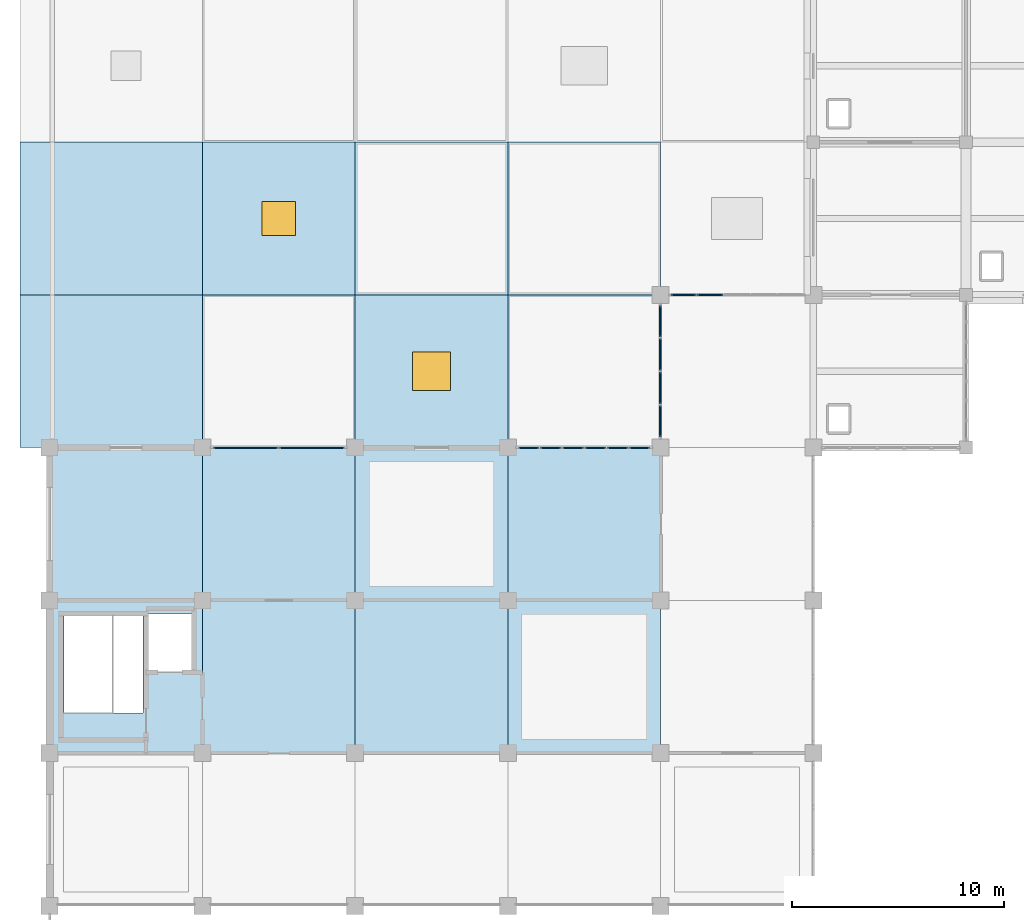
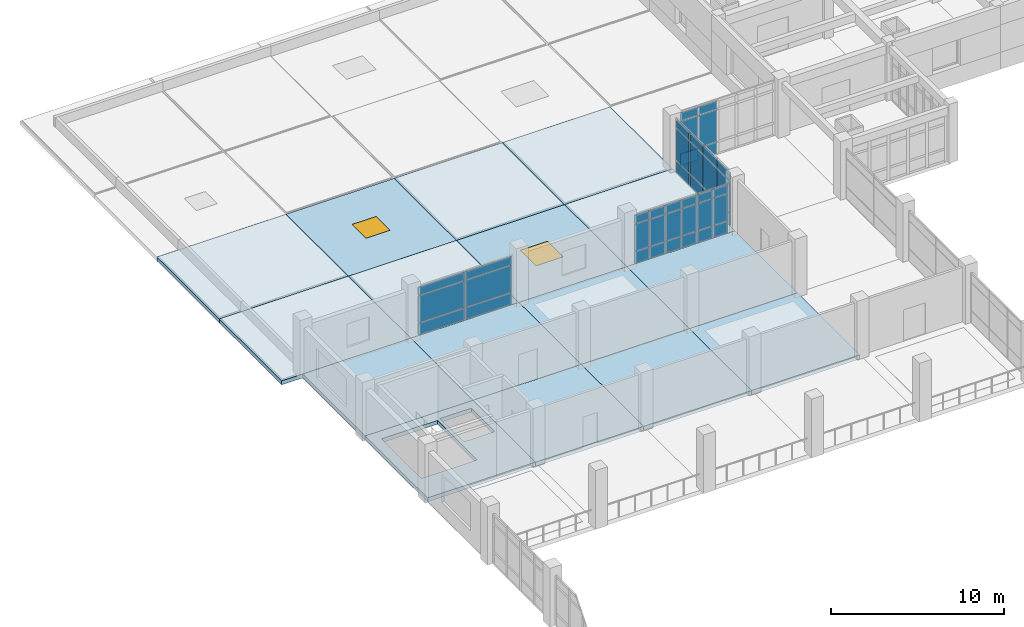
# One storey, part 36 of 62: 42 plates, 16 slabs, 2 windows, 2 openings, 4 elements without a shape of their own.
"""IFC4 building model written with IfcOpenShell, lengths in metres."""

from ifc_helpers import new_model, si_unit, direction, frame, origin, origin_2d, place, context, subcontext, project, spatial, polyline, rectangle, outline, extrude, material, layer, layer_set, type_object, element, fill, aggregate, save


model = new_model("IFC4")

# Units and contexts
model_context = context("Model", 3, precision=1e-05, world=origin(), true_north=direction((0.0, 1.0)))
body_context = subcontext(model_context, "Body", "Model", "MODEL_VIEW")
ifc_project = project(units=[si_unit("LENGTHUNIT", "METRE"), si_unit("AREAUNIT", "SQUARE_METRE"), si_unit("VOLUMEUNIT", "CUBIC_METRE"), si_unit("PLANEANGLEUNIT", "RADIAN"), si_unit("MASSUNIT", "GRAM", prefix="KILO")], contexts=[model_context])

# Site, building, storey
site_placement = place(None, origin())
site = spatial("IfcSite", under=ifc_project, at=site_placement, CompositionType="ELEMENT")
building_placement = place(site_placement, origin())
building = spatial("IfcBuilding", under=site, at=building_placement, Name="Kavelor Marine Aquarium", CompositionType="ELEMENT")
storey_placement = place(building_placement, frame((0.0, 0.0, 13.5)))
storey = spatial("IfcBuildingStorey", under=building, at=storey_placement, Name="L03", CompositionType="ELEMENT", Elevation=13.5)

# Curtain wall, plates
ifc_material_1 = material(Name="Thermally Broken Aluminium and Low-E Glass", Category="aluminium")
ifc_layer_1 = layer(ifc_material_1, 0.33203125)
ifc_layer_set_1 = layer_set([ifc_layer_1], Name="CW-SYS24")
curtain_wall_type_1 = type_object("IfcCurtainWallType", Name="CW-SYS24", PredefinedType="USERDEFINED", material=ifc_layer_set_1)
curtain_wall_1_placement = place(storey_placement, origin())
curtain_wall_1 = element("IfcCurtainWall", 1, at=curtain_wall_1_placement, inside=storey, type_object=curtain_wall_type_1, Name="cw:x:L03:01_11", ObjectType="Curtain Wall", PredefinedType="USERDEFINED")
ifc_material_2 = material(Name="Solar-Control Double Low-E Glazing", Category="glass")
ifc_layer_2 = layer(ifc_material_2, 0.048095703125)
ifc_layer_set_2 = layer_set([ifc_layer_2], Name="CWP-12")
plate_type_1 = type_object("IfcPlateType", Name="CWP-12", PredefinedType="CURTAIN_PANEL", material=ifc_layer_set_2)
plate_1_placement = place(storey_placement, frame((12.4375, 82.0, 0.074951171875), z_axis=(0.0, 0.0, 1.0), x_axis=(1.0, 0.0, 0.0)))
plate_1 = element("IfcPlate", 2, at=plate_1_placement, type_object=plate_type_1, Name="CW24 panel 1.1", PredefinedType="CURTAIN_PANEL", context=body_context, shape_type="SweptSolid", body=[
    extrude(rectangle(XDim=3.06494140625, YDim=0.048095703125, at=origin_2d()), origin(), (0.0, 0.0, 1.0), 0.78759765625),
])
plate_2_placement = place(storey_placement, frame((12.4375, 82.0, 0.9375), z_axis=(0.0, 0.0, 1.0), x_axis=(1.0, 0.0, 0.0)))
plate_2 = element("IfcPlate", 3, at=plate_2_placement, type_object=plate_type_1, Name="CW24 panel 1.2", PredefinedType="CURTAIN_PANEL", context=body_context, shape_type="SweptSolid", body=[
    extrude(rectangle(XDim=3.06494140625, YDim=0.048095703125, at=origin_2d()), origin(), (0.0, 0.0, 1.0), 1.85498046875),
])
plate_3_placement = place(storey_placement, frame((12.4375, 82.0, 2.867431640625), z_axis=(0.0, 0.0, 1.0), x_axis=(1.0, 0.0, 0.0)))
plate_3 = element("IfcPlate", 4, at=plate_3_placement, type_object=plate_type_1, Name="CW24 panel 1.3", PredefinedType="CURTAIN_PANEL", context=body_context, shape_type="SweptSolid", body=[
    extrude(rectangle(XDim=3.06494140625, YDim=0.048095703125, at=origin_2d()), origin(), (0.0, 0.0, 1.0), 0.53759765625),
])
plate_4_placement = place(storey_placement, frame((15.5625, 82.0, 0.074951171875), z_axis=(0.0, 0.0, 1.0), x_axis=(1.0, 0.0, 0.0)))
plate_4 = element("IfcPlate", 5, at=plate_4_placement, type_object=plate_type_1, Name="CW24 panel 2.1", PredefinedType="CURTAIN_PANEL", context=body_context, shape_type="SweptSolid", body=[
    extrude(rectangle(XDim=3.06494140625, YDim=0.048095703125, at=origin_2d()), origin(), (0.0, 0.0, 1.0), 0.78759765625),
])
plate_5_placement = place(storey_placement, frame((15.5625, 82.0, 0.9375), z_axis=(0.0, 0.0, 1.0), x_axis=(1.0, 0.0, 0.0)))
plate_5 = element("IfcPlate", 6, at=plate_5_placement, type_object=plate_type_1, Name="CW24 panel 2.2", PredefinedType="CURTAIN_PANEL", context=body_context, shape_type="SweptSolid", body=[
    extrude(rectangle(XDim=3.06494140625, YDim=0.048095703125, at=origin_2d()), origin(), (0.0, 0.0, 1.0), 1.85498046875),
])
plate_6_placement = place(storey_placement, frame((15.5625, 82.0, 2.867431640625), z_axis=(0.0, 0.0, 1.0), x_axis=(1.0, 0.0, 0.0)))
plate_6 = element("IfcPlate", 7, at=plate_6_placement, type_object=plate_type_1, Name="CW24 panel 2.3", PredefinedType="CURTAIN_PANEL", context=body_context, shape_type="SweptSolid", body=[
    extrude(rectangle(XDim=3.06494140625, YDim=0.048095703125, at=origin_2d()), origin(), (0.0, 0.0, 1.0), 0.53759765625),
])
aggregate(curtain_wall_1, [plate_1, plate_2, plate_3, plate_4, plate_5, plate_6])

ifc_material_3 = material(Name="Thermally Broken Aluminium and Low-E Glass", Category="aluminium")
ifc_layer_3 = layer(ifc_material_3, 0.1640625)
ifc_layer_set_3 = layer_set([ifc_layer_3], Name="CW-SYS3")
curtain_wall_type_2 = type_object("IfcCurtainWallType", Name="CW-SYS3", PredefinedType="USERDEFINED", material=ifc_layer_set_3)
curtain_wall_2_placement = place(storey_placement, origin())
curtain_wall_2 = element("IfcCurtainWall", 8, at=curtain_wall_2_placement, inside=storey, type_object=curtain_wall_type_2, Name="cw:x:L03:03_11", ObjectType="Curtain Wall", PredefinedType="USERDEFINED")
ifc_material_4 = material(Name="Solar-Control Double Low-E Glazing", Category="glass")
ifc_layer_4 = layer(ifc_material_4, 0.053955078125)
ifc_layer_set_4 = layer_set([ifc_layer_4], Name="CWP-15")
plate_type_2 = type_object("IfcPlateType", Name="CWP-15", PredefinedType="CURTAIN_PANEL", material=ifc_layer_set_4)
plate_7_placement = place(storey_placement, frame((25.785888671875, 82.0, 0.06494140625), z_axis=(0.0, 0.0, 1.0), x_axis=(1.0, 0.0, 0.0)))
plate_7 = element("IfcPlate", 9, at=plate_7_placement, type_object=plate_type_2, Name="CW03 panel 1.1", PredefinedType="CURTAIN_PANEL", context=body_context, shape_type="SweptSolid", body=[
    extrude(rectangle(XDim=0.961669921875, YDim=0.053955078125, at=origin_2d()), origin(), (0.0, 0.0, 1.0), 0.802490234375),
])
plate_8_placement = place(storey_placement, frame((25.785888671875, 82.0, 0.9326171875), z_axis=(0.0, 0.0, 1.0), x_axis=(1.0, 0.0, 0.0)))
plate_8 = element("IfcPlate", 10, at=plate_8_placement, type_object=plate_type_2, Name="CW03 panel 1.2", PredefinedType="CURTAIN_PANEL", context=body_context, shape_type="SweptSolid", body=[
    extrude(rectangle(XDim=0.961669921875, YDim=0.053955078125, at=origin_2d()), origin(), (0.0, 0.0, 1.0), 1.864990234375),
])
plate_9_placement = place(storey_placement, frame((25.785888671875, 82.0, 2.8623046875), z_axis=(0.0, 0.0, 1.0), x_axis=(1.0, 0.0, 0.0)))
plate_9 = element("IfcPlate", 11, at=plate_9_placement, type_object=plate_type_2, Name="CW03 panel 1.3", PredefinedType="CURTAIN_PANEL", context=body_context, shape_type="SweptSolid", body=[
    extrude(rectangle(XDim=0.961669921875, YDim=0.053955078125, at=origin_2d()), origin(), (0.0, 0.0, 1.0), 0.552490234375),
])
plate_10_placement = place(storey_placement, frame((26.822509765625, 82.0, 0.06494140625), z_axis=(0.0, 0.0, 1.0), x_axis=(1.0, 0.0, 0.0)))
plate_10 = element("IfcPlate", 12, at=plate_10_placement, type_object=plate_type_2, Name="CW03 panel 2.1", PredefinedType="CURTAIN_PANEL", context=body_context, shape_type="SweptSolid", body=[
    extrude(rectangle(XDim=0.99169921875, YDim=0.053955078125, at=origin_2d()), origin(), (0.0, 0.0, 1.0), 0.802490234375),
])
plate_11_placement = place(storey_placement, frame((26.822509765625, 82.0, 0.9326171875), z_axis=(0.0, 0.0, 1.0), x_axis=(1.0, 0.0, 0.0)))
plate_11 = element("IfcPlate", 13, at=plate_11_placement, type_object=plate_type_2, Name="CW03 panel 2.2", PredefinedType="CURTAIN_PANEL", context=body_context, shape_type="SweptSolid", body=[
    extrude(rectangle(XDim=0.99169921875, YDim=0.053955078125, at=origin_2d()), origin(), (0.0, 0.0, 1.0), 1.864990234375),
])
plate_12_placement = place(storey_placement, frame((26.822509765625, 82.0, 2.8623046875), z_axis=(0.0, 0.0, 1.0), x_axis=(1.0, 0.0, 0.0)))
plate_12 = element("IfcPlate", 14, at=plate_12_placement, type_object=plate_type_2, Name="CW03 panel 2.3", PredefinedType="CURTAIN_PANEL", context=body_context, shape_type="SweptSolid", body=[
    extrude(rectangle(XDim=0.99169921875, YDim=0.053955078125, at=origin_2d()), origin(), (0.0, 0.0, 1.0), 0.552490234375),
])
plate_13_placement = place(storey_placement, frame((27.874267578125, 82.0, 0.06494140625), z_axis=(0.0, 0.0, 1.0), x_axis=(1.0, 0.0, 0.0)))
plate_13 = element("IfcPlate", 15, at=plate_13_placement, type_object=plate_type_2, Name="CW03 panel 3.1", PredefinedType="CURTAIN_PANEL", context=body_context, shape_type="SweptSolid", body=[
    extrude(rectangle(XDim=0.99169921875, YDim=0.053955078125, at=origin_2d()), origin(), (0.0, 0.0, 1.0), 0.802490234375),
])
plate_14_placement = place(storey_placement, frame((27.874267578125, 82.0, 0.9326171875), z_axis=(0.0, 0.0, 1.0), x_axis=(1.0, 0.0, 0.0)))
plate_14 = element("IfcPlate", 16, at=plate_14_placement, type_object=plate_type_2, Name="CW03 panel 3.2", PredefinedType="CURTAIN_PANEL", context=body_context, shape_type="SweptSolid", body=[
    extrude(rectangle(XDim=0.99169921875, YDim=0.053955078125, at=origin_2d()), origin(), (0.0, 0.0, 1.0), 1.864990234375),
])
plate_15_placement = place(storey_placement, frame((27.874267578125, 82.0, 2.8623046875), z_axis=(0.0, 0.0, 1.0), x_axis=(1.0, 0.0, 0.0)))
plate_15 = element("IfcPlate", 17, at=plate_15_placement, type_object=plate_type_2, Name="CW03 panel 3.3", PredefinedType="CURTAIN_PANEL", context=body_context, shape_type="SweptSolid", body=[
    extrude(rectangle(XDim=0.99169921875, YDim=0.053955078125, at=origin_2d()), origin(), (0.0, 0.0, 1.0), 0.552490234375),
])
plate_16_placement = place(storey_placement, frame((28.92578125, 82.0, 0.06494140625), z_axis=(0.0, 0.0, 1.0), x_axis=(1.0, 0.0, 0.0)))
plate_16 = element("IfcPlate", 18, at=plate_16_placement, type_object=plate_type_2, Name="CW03 panel 4.1", PredefinedType="CURTAIN_PANEL", context=body_context, shape_type="SweptSolid", body=[
    extrude(rectangle(XDim=0.99169921875, YDim=0.053955078125, at=origin_2d()), origin(), (0.0, 0.0, 1.0), 0.802490234375),
])
plate_17_placement = place(storey_placement, frame((28.92578125, 82.0, 0.9326171875), z_axis=(0.0, 0.0, 1.0), x_axis=(1.0, 0.0, 0.0)))
plate_17 = element("IfcPlate", 19, at=plate_17_placement, type_object=plate_type_2, Name="CW03 panel 4.2", PredefinedType="CURTAIN_PANEL", context=body_context, shape_type="SweptSolid", body=[
    extrude(rectangle(XDim=0.99169921875, YDim=0.053955078125, at=origin_2d()), origin(), (0.0, 0.0, 1.0), 1.864990234375),
])
plate_18_placement = place(storey_placement, frame((28.92578125, 82.0, 2.8623046875), z_axis=(0.0, 0.0, 1.0), x_axis=(1.0, 0.0, 0.0)))
plate_18 = element("IfcPlate", 20, at=plate_18_placement, type_object=plate_type_2, Name="CW03 panel 4.3", PredefinedType="CURTAIN_PANEL", context=body_context, shape_type="SweptSolid", body=[
    extrude(rectangle(XDim=0.99169921875, YDim=0.053955078125, at=origin_2d()), origin(), (0.0, 0.0, 1.0), 0.552490234375),
])
plate_19_placement = place(storey_placement, frame((29.9775390625, 82.0, 0.06494140625), z_axis=(0.0, 0.0, 1.0), x_axis=(1.0, 0.0, 0.0)))
plate_19 = element("IfcPlate", 21, at=plate_19_placement, type_object=plate_type_2, Name="CW03 panel 5.1", PredefinedType="CURTAIN_PANEL", context=body_context, shape_type="SweptSolid", body=[
    extrude(rectangle(XDim=0.99169921875, YDim=0.053955078125, at=origin_2d()), origin(), (0.0, 0.0, 1.0), 0.802490234375),
])
plate_20_placement = place(storey_placement, frame((29.9775390625, 82.0, 0.9326171875), z_axis=(0.0, 0.0, 1.0), x_axis=(1.0, 0.0, 0.0)))
plate_20 = element("IfcPlate", 22, at=plate_20_placement, type_object=plate_type_2, Name="CW03 panel 5.2", PredefinedType="CURTAIN_PANEL", context=body_context, shape_type="SweptSolid", body=[
    extrude(rectangle(XDim=0.99169921875, YDim=0.053955078125, at=origin_2d()), origin(), (0.0, 0.0, 1.0), 1.864990234375),
])
plate_21_placement = place(storey_placement, frame((29.9775390625, 82.0, 2.8623046875), z_axis=(0.0, 0.0, 1.0), x_axis=(1.0, 0.0, 0.0)))
plate_21 = element("IfcPlate", 23, at=plate_21_placement, type_object=plate_type_2, Name="CW03 panel 5.3", PredefinedType="CURTAIN_PANEL", context=body_context, shape_type="SweptSolid", body=[
    extrude(rectangle(XDim=0.99169921875, YDim=0.053955078125, at=origin_2d()), origin(), (0.0, 0.0, 1.0), 0.552490234375),
])
plate_22_placement = place(storey_placement, frame((31.01416015625, 82.0, 0.06494140625), z_axis=(0.0, 0.0, 1.0), x_axis=(1.0, 0.0, 0.0)))
plate_22 = element("IfcPlate", 24, at=plate_22_placement, type_object=plate_type_2, Name="CW03 panel 6.1", PredefinedType="CURTAIN_PANEL", context=body_context, shape_type="SweptSolid", body=[
    extrude(rectangle(XDim=0.961669921875, YDim=0.053955078125, at=origin_2d()), origin(), (0.0, 0.0, 1.0), 0.802490234375),
])
plate_23_placement = place(storey_placement, frame((31.01416015625, 82.0, 0.9326171875), z_axis=(0.0, 0.0, 1.0), x_axis=(1.0, 0.0, 0.0)))
plate_23 = element("IfcPlate", 25, at=plate_23_placement, type_object=plate_type_2, Name="CW03 panel 6.2", PredefinedType="CURTAIN_PANEL", context=body_context, shape_type="SweptSolid", body=[
    extrude(rectangle(XDim=0.961669921875, YDim=0.053955078125, at=origin_2d()), origin(), (0.0, 0.0, 1.0), 1.864990234375),
])
plate_24_placement = place(storey_placement, frame((31.01416015625, 82.0, 2.8623046875), z_axis=(0.0, 0.0, 1.0), x_axis=(1.0, 0.0, 0.0)))
plate_24 = element("IfcPlate", 26, at=plate_24_placement, type_object=plate_type_2, Name="CW03 panel 6.3", PredefinedType="CURTAIN_PANEL", context=body_context, shape_type="SweptSolid", body=[
    extrude(rectangle(XDim=0.961669921875, YDim=0.053955078125, at=origin_2d()), origin(), (0.0, 0.0, 1.0), 0.552490234375),
])
aggregate(curtain_wall_2, [plate_7, plate_8, plate_9, plate_10, plate_11, plate_12, plate_13, plate_14, plate_15, plate_16, plate_17, plate_18, plate_19, plate_20, plate_21, plate_22, plate_23, plate_24])

ifc_material_5 = material(Name="Thermally Broken Aluminium and Low-E Glass", Category="aluminium")
ifc_layer_5 = layer(ifc_material_5, 0.179931640625)
ifc_layer_set_5 = layer_set([ifc_layer_5], Name="CW-SYS5")
curtain_wall_type_3 = type_object("IfcCurtainWallType", Name="CW-SYS5", PredefinedType="USERDEFINED", material=ifc_layer_set_5)
curtain_wall_3_placement = place(storey_placement, origin())
curtain_wall_3 = element("IfcCurtainWall", 27, at=curtain_wall_3_placement, inside=storey, type_object=curtain_wall_type_3, Name="cw:x:L03:04_12", ObjectType="Curtain Wall", PredefinedType="USERDEFINED")
ifc_material_6 = material(Name="Solar-Control Double Low-E Glazing", Category="glass")
ifc_layer_6 = layer(ifc_material_6, 0.05810546875)
ifc_layer_set_6 = layer_set([ifc_layer_6], Name="CWP-17")
plate_type_3 = type_object("IfcPlateType", Name="CWP-17", PredefinedType="CURTAIN_PANEL", material=ifc_layer_set_6)
plate_25_placement = place(storey_placement, frame((33.09228515625, 89.199951171875, 0.06005859375), z_axis=(0.0, 0.0, 1.0), x_axis=(1.0, 0.0, 0.0)))
plate_25 = element("IfcPlate", 28, at=plate_25_placement, type_object=plate_type_3, Name="CW05 panel 1.1", PredefinedType="CURTAIN_PANEL", context=body_context, shape_type="SweptSolid", body=[
    extrude(rectangle(XDim=1.16455078125, YDim=0.05810546875, at=origin_2d()), origin(), (0.0, 0.0, 1.0), 0.81005859375),
])
plate_26_placement = place(storey_placement, frame((33.09228515625, 89.199951171875, 0.929931640625), z_axis=(0.0, 0.0, 1.0), x_axis=(1.0, 0.0, 0.0)))
plate_26 = element("IfcPlate", 29, at=plate_26_placement, type_object=plate_type_3, Name="CW05 panel 1.2", PredefinedType="CURTAIN_PANEL", context=body_context, shape_type="SweptSolid", body=[
    extrude(rectangle(XDim=1.16455078125, YDim=0.05810546875, at=origin_2d()), origin(), (0.0, 0.0, 1.0), 2.22998046875),
])
plate_27_placement = place(storey_placement, frame((33.09228515625, 89.199951171875, 3.219970703125), z_axis=(0.0, 0.0, 1.0), x_axis=(1.0, 0.0, 0.0)))
plate_27 = element("IfcPlate", 30, at=plate_27_placement, type_object=plate_type_3, Name="CW05 panel 1.3", PredefinedType="CURTAIN_PANEL", context=body_context, shape_type="SweptSolid", body=[
    extrude(rectangle(XDim=1.16455078125, YDim=0.05810546875, at=origin_2d()), origin(), (0.0, 0.0, 1.0), 0.56005859375),
])
plate_28_placement = place(storey_placement, frame((34.337890625, 89.199951171875, 0.06005859375), z_axis=(0.0, 0.0, 1.0), x_axis=(1.0, 0.0, 0.0)))
plate_28 = element("IfcPlate", 31, at=plate_28_placement, type_object=plate_type_3, Name="CW05 panel 2.1", PredefinedType="CURTAIN_PANEL", context=body_context, shape_type="SweptSolid", body=[
    extrude(rectangle(XDim=1.197021484375, YDim=0.05810546875, at=origin_2d()), origin(), (0.0, 0.0, 1.0), 0.81005859375),
])
plate_29_placement = place(storey_placement, frame((34.337890625, 89.199951171875, 0.929931640625), z_axis=(0.0, 0.0, 1.0), x_axis=(1.0, 0.0, 0.0)))
plate_29 = element("IfcPlate", 32, at=plate_29_placement, type_object=plate_type_3, Name="CW05 panel 2.2", PredefinedType="CURTAIN_PANEL", context=body_context, shape_type="SweptSolid", body=[
    extrude(rectangle(XDim=1.197021484375, YDim=0.05810546875, at=origin_2d()), origin(), (0.0, 0.0, 1.0), 2.22998046875),
])
plate_30_placement = place(storey_placement, frame((34.337890625, 89.199951171875, 3.219970703125), z_axis=(0.0, 0.0, 1.0), x_axis=(1.0, 0.0, 0.0)))
plate_30 = element("IfcPlate", 33, at=plate_30_placement, type_object=plate_type_3, Name="CW05 panel 2.3", PredefinedType="CURTAIN_PANEL", context=body_context, shape_type="SweptSolid", body=[
    extrude(rectangle(XDim=1.197021484375, YDim=0.05810546875, at=origin_2d()), origin(), (0.0, 0.0, 1.0), 0.56005859375),
])
aggregate(curtain_wall_3, [plate_25, plate_26, plate_27, plate_28, plate_29, plate_30])

ifc_material_7 = material(Name="Thermally Broken Aluminium and Low-E Glass", Category="aluminium")
ifc_layer_7 = layer(ifc_material_7, 0.26806640625)
ifc_layer_set_7 = layer_set([ifc_layer_7], Name="CW-SYS16")
curtain_wall_type_4 = type_object("IfcCurtainWallType", Name="CW-SYS16", PredefinedType="USERDEFINED", material=ifc_layer_set_7)
curtain_wall_4_placement = place(storey_placement, origin())
curtain_wall_4 = element("IfcCurtainWall", 34, at=curtain_wall_4_placement, inside=storey, type_object=curtain_wall_type_4, Name="cw:y:L03:04_11", ObjectType="Curtain Wall", PredefinedType="USERDEFINED")
ifc_material_8 = material(Name="Solar-Control Double Low-E Glazing", Category="glass")
ifc_layer_8 = layer(ifc_material_8, 0.080078125)
ifc_layer_set_8 = layer_set([ifc_layer_8], Name="CWP-28")
plate_type_4 = type_object("IfcPlateType", Name="CWP-28", PredefinedType="CURTAIN_PANEL", material=ifc_layer_set_8)
plate_31_placement = place(storey_placement, frame((32.0, 87.947509765625, 0.06005859375), z_axis=(0.0, 0.0, 1.0), x_axis=(0.0, -1.0, 0.0)))
plate_31 = element("IfcPlate", 35, at=plate_31_placement, type_object=plate_type_4, Name="CW16 panel 1.1", PredefinedType="CURTAIN_PANEL", context=body_context, shape_type="SweptSolid", body=[
    extrude(rectangle(XDim=1.465087890625, YDim=0.080078125, at=origin_2d()), origin(), (0.0, 0.0, 1.0), 0.81005859375),
])
plate_32_placement = place(storey_placement, frame((32.0, 87.947509765625, 0.929931640625), z_axis=(0.0, 0.0, 1.0), x_axis=(0.0, -1.0, 0.0)))
plate_32 = element("IfcPlate", 36, at=plate_32_placement, type_object=plate_type_4, Name="CW16 panel 1.2", PredefinedType="CURTAIN_PANEL", context=body_context, shape_type="SweptSolid", body=[
    extrude(rectangle(XDim=1.465087890625, YDim=0.080078125, at=origin_2d()), origin(), (0.0, 0.0, 1.0), 2.22998046875),
])
plate_33_placement = place(storey_placement, frame((32.0, 87.947509765625, 3.219970703125), z_axis=(0.0, 0.0, 1.0), x_axis=(0.0, -1.0, 0.0)))
plate_33 = element("IfcPlate", 37, at=plate_33_placement, type_object=plate_type_4, Name="CW16 panel 1.3", PredefinedType="CURTAIN_PANEL", context=body_context, shape_type="SweptSolid", body=[
    extrude(rectangle(XDim=1.465087890625, YDim=0.080078125, at=origin_2d()), origin(), (0.0, 0.0, 1.0), 0.56005859375),
])
plate_34_placement = place(storey_placement, frame((32.0, 86.388671875, 0.06005859375), z_axis=(0.0, 0.0, 1.0), x_axis=(0.0, -1.0, 0.0)))
plate_34 = element("IfcPlate", 38, at=plate_34_placement, type_object=plate_type_4, Name="CW16 panel 2.1", PredefinedType="CURTAIN_PANEL", context=body_context, shape_type="SweptSolid", body=[
    extrude(rectangle(XDim=1.50244140625, YDim=0.080078125, at=origin_2d()), origin(), (0.0, 0.0, 1.0), 0.81005859375),
])
plate_35_placement = place(storey_placement, frame((32.0, 86.388671875, 0.929931640625), z_axis=(0.0, 0.0, 1.0), x_axis=(0.0, -1.0, 0.0)))
plate_35 = element("IfcPlate", 39, at=plate_35_placement, type_object=plate_type_4, Name="CW16 panel 2.2", PredefinedType="CURTAIN_PANEL", context=body_context, shape_type="SweptSolid", body=[
    extrude(rectangle(XDim=1.50244140625, YDim=0.080078125, at=origin_2d()), origin(), (0.0, 0.0, 1.0), 2.22998046875),
])
plate_36_placement = place(storey_placement, frame((32.0, 86.388671875, 3.219970703125), z_axis=(0.0, 0.0, 1.0), x_axis=(0.0, -1.0, 0.0)))
plate_36 = element("IfcPlate", 40, at=plate_36_placement, type_object=plate_type_4, Name="CW16 panel 2.3", PredefinedType="CURTAIN_PANEL", context=body_context, shape_type="SweptSolid", body=[
    extrude(rectangle(XDim=1.50244140625, YDim=0.080078125, at=origin_2d()), origin(), (0.0, 0.0, 1.0), 0.56005859375),
])
plate_37_placement = place(storey_placement, frame((32.0, 84.811279296875, 0.06005859375), z_axis=(0.0, 0.0, 1.0), x_axis=(0.0, -1.0, 0.0)))
plate_37 = element("IfcPlate", 41, at=plate_37_placement, type_object=plate_type_4, Name="CW16 panel 3.1", PredefinedType="CURTAIN_PANEL", context=body_context, shape_type="SweptSolid", body=[
    extrude(rectangle(XDim=1.50244140625, YDim=0.080078125, at=origin_2d()), origin(), (0.0, 0.0, 1.0), 0.81005859375),
])
plate_38_placement = place(storey_placement, frame((32.0, 84.811279296875, 0.929931640625), z_axis=(0.0, 0.0, 1.0), x_axis=(0.0, -1.0, 0.0)))
plate_38 = element("IfcPlate", 42, at=plate_38_placement, type_object=plate_type_4, Name="CW16 panel 3.2", PredefinedType="CURTAIN_PANEL", context=body_context, shape_type="SweptSolid", body=[
    extrude(rectangle(XDim=1.50244140625, YDim=0.080078125, at=origin_2d()), origin(), (0.0, 0.0, 1.0), 2.22998046875),
])
plate_39_placement = place(storey_placement, frame((32.0, 84.811279296875, 3.219970703125), z_axis=(0.0, 0.0, 1.0), x_axis=(0.0, -1.0, 0.0)))
plate_39 = element("IfcPlate", 43, at=plate_39_placement, type_object=plate_type_4, Name="CW16 panel 3.3", PredefinedType="CURTAIN_PANEL", context=body_context, shape_type="SweptSolid", body=[
    extrude(rectangle(XDim=1.50244140625, YDim=0.080078125, at=origin_2d()), origin(), (0.0, 0.0, 1.0), 0.56005859375),
])
plate_40_placement = place(storey_placement, frame((32.0, 83.25244140625, 0.06005859375), z_axis=(0.0, 0.0, 1.0), x_axis=(0.0, -1.0, 0.0)))
plate_40 = element("IfcPlate", 44, at=plate_40_placement, type_object=plate_type_4, Name="CW16 panel 4.1", PredefinedType="CURTAIN_PANEL", context=body_context, shape_type="SweptSolid", body=[
    extrude(rectangle(XDim=1.465087890625, YDim=0.080078125, at=origin_2d()), origin(), (0.0, 0.0, 1.0), 0.81005859375),
])
plate_41_placement = place(storey_placement, frame((32.0, 83.25244140625, 0.929931640625), z_axis=(0.0, 0.0, 1.0), x_axis=(0.0, -1.0, 0.0)))
plate_41 = element("IfcPlate", 45, at=plate_41_placement, type_object=plate_type_4, Name="CW16 panel 4.2", PredefinedType="CURTAIN_PANEL", context=body_context, shape_type="SweptSolid", body=[
    extrude(rectangle(XDim=1.465087890625, YDim=0.080078125, at=origin_2d()), origin(), (0.0, 0.0, 1.0), 2.22998046875),
])
plate_42_placement = place(storey_placement, frame((32.0, 83.25244140625, 3.219970703125), z_axis=(0.0, 0.0, 1.0), x_axis=(0.0, -1.0, 0.0)))
plate_42 = element("IfcPlate", 46, at=plate_42_placement, type_object=plate_type_4, Name="CW16 panel 4.3", PredefinedType="CURTAIN_PANEL", context=body_context, shape_type="SweptSolid", body=[
    extrude(rectangle(XDim=1.465087890625, YDim=0.080078125, at=origin_2d()), origin(), (0.0, 0.0, 1.0), 0.56005859375),
])
aggregate(curtain_wall_4, [plate_31, plate_32, plate_33, plate_34, plate_35, plate_36, plate_37, plate_38, plate_39, plate_40, plate_41, plate_42])

# Slabs
ifc_material_9 = material(Name="Concrete C40/50", Category="concrete")
ifc_layer_9 = layer(ifc_material_9, 0.300048828125)
ifc_layer_set_9 = layer_set([ifc_layer_9], Name="SL-FL1")
slab_type_1 = type_object("IfcSlabType", Name="SL-FL1", PredefinedType="FLOOR", material=ifc_layer_set_9)
slab_1_placement = place(storey_placement, frame((0.0, 0.0, -0.300048828125)))
element("IfcSlab", 47, at=slab_1_placement, inside=storey, type_object=slab_type_1, Name="slab:L03:00_10", PredefinedType="FLOOR", context=body_context, shape_type="SweptSolid", body=[
    extrude(outline(polyline([(3.199951171875, 74.800048828125), (10.39990234375, 74.800048828125), (10.39990234375, 82.0), (3.199951171875, 82.0), (3.199951171875, 74.800048828125)])), origin(), (0.0, 0.0, 1.0), 0.300048828125),
])
slab_2_placement = place(storey_placement, frame((0.0, 0.0, -0.300048828125)))
element("IfcSlab", 48, at=slab_2_placement, inside=storey, type_object=slab_type_1, Name="slab:L03:01_09", PredefinedType="FLOOR", context=body_context, shape_type="SweptSolid", body=[
    extrude(outline(polyline([(10.39990234375, 67.60009765625), (17.60009765625, 67.60009765625), (17.60009765625, 74.800048828125), (10.39990234375, 74.800048828125), (10.39990234375, 67.60009765625)])), origin(), (0.0, 0.0, 1.0), 0.300048828125),
])
slab_3_placement = place(storey_placement, frame((0.0, 0.0, -0.300048828125)))
element("IfcSlab", 49, at=slab_3_placement, inside=storey, type_object=slab_type_1, Name="slab:L03:02_10", PredefinedType="FLOOR", context=body_context, shape_type="SweptSolid", body=[
    extrude(outline(polyline([(17.60009765625, 74.800048828125), (24.800048828125, 74.800048828125), (24.800048828125, 82.0), (17.60009765625, 82.0), (17.60009765625, 74.800048828125)])), origin(), (0.0, 0.0, 1.0), 0.300048828125),
])
slab_4_placement = place(storey_placement, frame((0.0, 0.0, -0.300048828125)))
element("IfcSlab", 50, at=slab_4_placement, inside=storey, type_object=slab_type_1, Name="slab:L03:03_09", PredefinedType="FLOOR", context=body_context, shape_type="SweptSolid", body=[
    extrude(outline(polyline([(24.800048828125, 67.60009765625), (32.0, 67.60009765625), (32.0, 74.800048828125), (24.800048828125, 74.800048828125), (24.800048828125, 67.60009765625)])), origin(), (0.0, 0.0, 1.0), 0.300048828125),
])
ifc_material_10 = material(Name="Concrete C40/50", Category="concrete")
ifc_layer_10 = layer(ifc_material_10, 0.280029296875)
ifc_layer_set_10 = layer_set([ifc_layer_10], Name="SL-FL2")
slab_type_2 = type_object("IfcSlabType", Name="SL-FL2", PredefinedType="FLOOR", material=ifc_layer_set_10)
slab_5_placement = place(storey_placement, frame((0.0, 0.0, -0.280029296875)))
element("IfcSlab", 51, at=slab_5_placement, inside=storey, type_object=slab_type_2, Name="slab:L03:00_09", PredefinedType="FLOOR", context=body_context, shape_type="SweptSolid", body=[
    extrude(outline(polyline([(3.199951171875, 67.60009765625), (10.39990234375, 67.60009765625), (10.39990234375, 74.800048828125), (3.199951171875, 74.800048828125), (3.199951171875, 67.60009765625)]), holes=[polyline([(3.8798828125, 69.48291015625), (7.60009765625, 69.48291015625), (7.60009765625, 74.070068359375), (3.8798828125, 74.070068359375), (3.8798828125, 69.48291015625)]), polyline([(7.860107421875, 71.449951171875), (9.89990234375, 71.449951171875), (9.89990234375, 74.14990234375), (7.800048828125, 74.14990234375), (7.860107421875, 71.449951171875)])]), origin(), (0.0, 0.0, 1.0), 0.280029296875),
])
slab_6_placement = place(storey_placement, frame((0.0, 0.0, -0.280029296875)))
element("IfcSlab", 52, at=slab_6_placement, inside=storey, type_object=slab_type_2, Name="slab:L03:01_10", PredefinedType="FLOOR", context=body_context, shape_type="SweptSolid", body=[
    extrude(outline(polyline([(10.39990234375, 74.800048828125), (17.60009765625, 74.800048828125), (17.60009765625, 82.0), (10.39990234375, 82.0), (10.39990234375, 74.800048828125)])), origin(), (0.0, 0.0, 1.0), 0.280029296875),
])
slab_7_placement = place(storey_placement, frame((0.0, 0.0, -0.280029296875)))
element("IfcSlab", 53, at=slab_7_placement, inside=storey, type_object=slab_type_2, Name="slab:L03:02_09", PredefinedType="FLOOR", context=body_context, shape_type="SweptSolid", body=[
    extrude(outline(polyline([(17.60009765625, 67.60009765625), (24.800048828125, 67.60009765625), (24.800048828125, 74.800048828125), (17.60009765625, 74.800048828125), (17.60009765625, 67.60009765625)])), origin(), (0.0, 0.0, 1.0), 0.280029296875),
])
slab_8_placement = place(storey_placement, frame((0.0, 0.0, -0.280029296875)))
element("IfcSlab", 54, at=slab_8_placement, inside=storey, type_object=slab_type_2, Name="slab:L03:03_10", PredefinedType="FLOOR", context=body_context, shape_type="SweptSolid", body=[
    extrude(outline(polyline([(24.800048828125, 74.800048828125), (32.0, 74.800048828125), (32.0, 82.0), (24.800048828125, 82.0), (24.800048828125, 74.800048828125)])), origin(), (0.0, 0.0, 1.0), 0.280029296875),
])
ifc_material_11 = material(Name="Concrete C40/50", Category="concrete")
ifc_layer_11 = layer(ifc_material_11, 0.280029296875)
ifc_layer_set_11 = layer_set([ifc_layer_11], Name="SL-RF1")
slab_type_3 = type_object("IfcSlabType", Name="SL-RF1", PredefinedType="ROOF", material=ifc_layer_set_11)
slab_9_placement = place(storey_placement, frame((0.0, 0.0, -0.280029296875)))
element("IfcSlab", 55, at=slab_9_placement, inside=storey, type_object=slab_type_3, Name="roof:L03:00_11", PredefinedType="ROOF", context=body_context, shape_type="SweptSolid", body=[
    extrude(outline(polyline([(1.800048828125, 82.0), (10.39990234375, 82.0), (10.39990234375, 89.199951171875), (1.800048828125, 89.199951171875), (1.800048828125, 82.0)])), origin(), (0.0, 0.0, 1.0), 0.280029296875),
])
slab_10_placement = place(storey_placement, frame((0.0, 0.0, -0.280029296875)))
element("IfcSlab", 56, at=slab_10_placement, inside=storey, type_object=slab_type_3, Name="roof:L03:00_12", PredefinedType="ROOF", context=body_context, shape_type="SweptSolid", body=[
    extrude(outline(polyline([(1.800048828125, 89.199951171875), (10.39990234375, 89.199951171875), (10.39990234375, 96.39990234375), (1.800048828125, 96.39990234375), (1.800048828125, 89.199951171875)])), origin(), (0.0, 0.0, 1.0), 0.280029296875),
])
slab_11_placement = place(storey_placement, frame((0.0, 0.0, -0.280029296875)))
element("IfcSlab", 57, at=slab_11_placement, inside=storey, type_object=slab_type_3, Name="roof:L03:01_11", PredefinedType="ROOF", context=body_context, shape_type="SweptSolid", body=[
    extrude(outline(polyline([(10.39990234375, 82.0), (17.60009765625, 82.0), (17.60009765625, 89.199951171875), (10.39990234375, 89.199951171875), (10.39990234375, 82.0)])), origin(), (0.0, 0.0, 1.0), 0.280029296875),
])

# Slab, opening, window
slab_12_placement = place(storey_placement, frame((0.0, 0.0, -0.280029296875)))
slab_12 = element("IfcSlab", 58, at=slab_12_placement, inside=storey, type_object=slab_type_3, Name="roof:L03:01_12", PredefinedType="ROOF", context=body_context, shape_type="SweptSolid", body=[
    extrude(outline(polyline([(10.39990234375, 89.199951171875), (17.60009765625, 89.199951171875), (17.60009765625, 96.39990234375), (10.39990234375, 96.39990234375), (10.39990234375, 89.199951171875)])), origin(), (0.0, 0.0, 1.0), 0.280029296875),
])
opening_1_placement = place(slab_12_placement, frame((14.0, 92.800048828125, 0.0)))
opening_1 = element("IfcOpeningElement", 59, at=opening_1_placement, cuts=slab_12, Name="Opening SK2", PredefinedType="OPENING", context=body_context, shape_type="SweptSolid", body=[
    extrude(rectangle(XDim=1.60009765625, YDim=1.60009765625, at=origin_2d()), origin(), (0.0, 0.0, 1.0), 0.280029296875),
])
ifc_material_12 = material(Name="Thermally Broken Aluminium Roof Skylight", Category="aluminium")
window_type_1 = type_object("IfcWindowType", Name="SKY-SK2", PartitioningType="SINGLE_PANEL", PredefinedType="SKYLIGHT", material=ifc_material_12)
window_1_placement = place(opening_1_placement, frame((0.0, 0.0, 0.22998046875)))
window_1 = element("IfcWindow", 60, at=window_1_placement, inside=storey, type_object=window_type_1, Name="sky:L03:01_12", OverallHeight=1.60009765625, OverallWidth=1.60009765625, PartitioningType="SINGLE_PANEL", PredefinedType="SKYLIGHT", context=body_context, shape_type="SweptSolid", body=[
    extrude(rectangle(XDim=1.60009765625, YDim=1.60009765625, at=origin_2d()), origin(), (0.0, 0.0, 1.0), 0.050048828125),
])
fill(opening_1, window_1)

slab_13_placement = place(storey_placement, frame((0.0, 0.0, -0.280029296875)))
slab_13 = element("IfcSlab", 61, at=slab_13_placement, inside=storey, type_object=slab_type_3, Name="roof:L03:02_11", PredefinedType="ROOF", context=body_context, shape_type="SweptSolid", body=[
    extrude(outline(polyline([(17.60009765625, 82.0), (24.800048828125, 82.0), (24.800048828125, 89.199951171875), (17.60009765625, 89.199951171875), (17.60009765625, 82.0)])), origin(), (0.0, 0.0, 1.0), 0.280029296875),
])
opening_2_placement = place(slab_13_placement, frame((21.199951171875, 85.60009765625, 0.0)))
opening_2 = element("IfcOpeningElement", 62, at=opening_2_placement, cuts=slab_13, Name="Opening SK3", PredefinedType="OPENING", context=body_context, shape_type="SweptSolid", body=[
    extrude(rectangle(XDim=1.800048828125, YDim=1.800048828125, at=origin_2d()), origin(), (0.0, 0.0, 1.0), 0.280029296875),
])
ifc_material_13 = material(Name="Thermally Broken Aluminium Roof Skylight", Category="aluminium")
window_type_2 = type_object("IfcWindowType", Name="SKY-SK3", PartitioningType="SINGLE_PANEL", PredefinedType="SKYLIGHT", material=ifc_material_13)
window_2_placement = place(opening_2_placement, frame((0.0, 0.0, 0.22998046875)))
window_2 = element("IfcWindow", 63, at=window_2_placement, inside=storey, type_object=window_type_2, Name="sky:L03:02_11", OverallHeight=1.800048828125, OverallWidth=1.800048828125, PartitioningType="SINGLE_PANEL", PredefinedType="SKYLIGHT", context=body_context, shape_type="SweptSolid", body=[
    extrude(rectangle(XDim=1.800048828125, YDim=1.800048828125, at=origin_2d()), origin(), (0.0, 0.0, 1.0), 0.050048828125),
])
fill(opening_2, window_2)

# Slabs
slab_14_placement = place(storey_placement, frame((0.0, 0.0, -0.280029296875)))
element("IfcSlab", 64, at=slab_14_placement, inside=storey, type_object=slab_type_3, Name="roof:L03:02_12", PredefinedType="ROOF", context=body_context, shape_type="SweptSolid", body=[
    extrude(outline(polyline([(17.60009765625, 89.199951171875), (24.800048828125, 89.199951171875), (24.800048828125, 96.39990234375), (17.60009765625, 96.39990234375), (17.60009765625, 89.199951171875)])), origin(), (0.0, 0.0, 1.0), 0.280029296875),
])
slab_15_placement = place(storey_placement, frame((0.0, 0.0, -0.280029296875)))
element("IfcSlab", 65, at=slab_15_placement, inside=storey, type_object=slab_type_3, Name="roof:L03:03_11", PredefinedType="ROOF", context=body_context, shape_type="SweptSolid", body=[
    extrude(outline(polyline([(24.800048828125, 82.0), (32.0, 82.0), (32.0, 89.199951171875), (24.800048828125, 89.199951171875), (24.800048828125, 82.0)])), origin(), (0.0, 0.0, 1.0), 0.280029296875),
])
slab_16_placement = place(storey_placement, frame((0.0, 0.0, -0.280029296875)))
element("IfcSlab", 66, at=slab_16_placement, inside=storey, type_object=slab_type_3, Name="roof:L03:03_12", PredefinedType="ROOF", context=body_context, shape_type="SweptSolid", body=[
    extrude(outline(polyline([(24.800048828125, 89.199951171875), (32.0, 89.199951171875), (32.0, 96.39990234375), (24.800048828125, 96.39990234375), (24.800048828125, 89.199951171875)])), origin(), (0.0, 0.0, 1.0), 0.280029296875),
])

save(model, "model.ifc")
